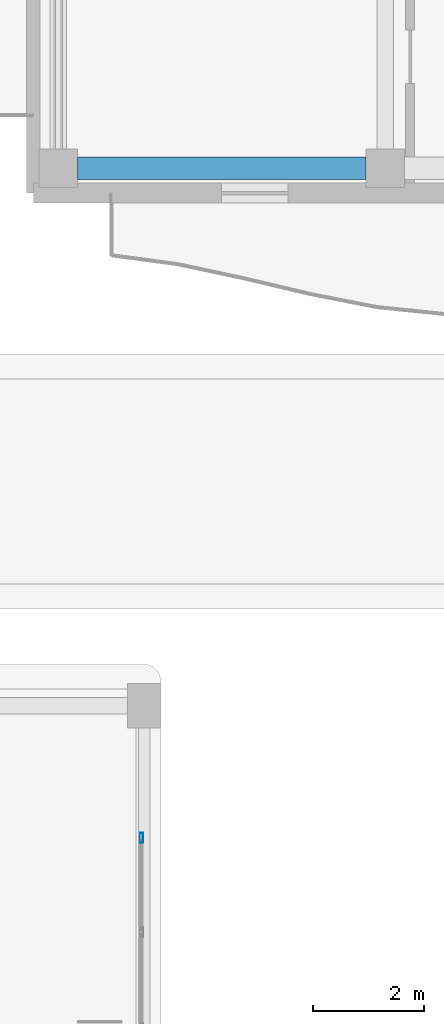
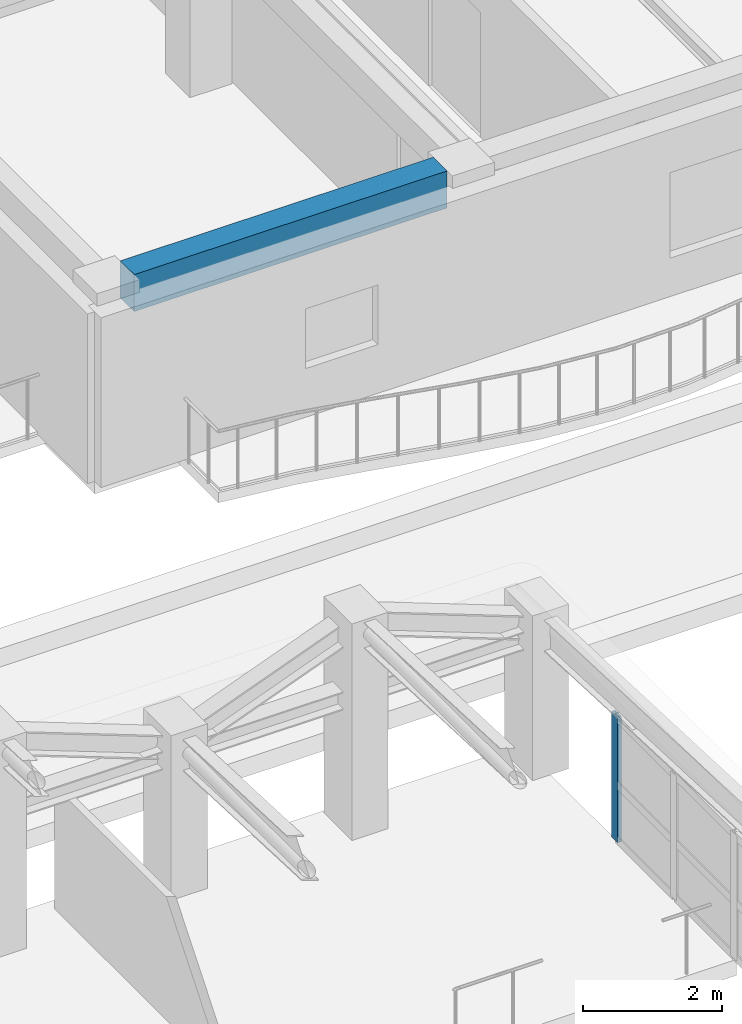
# One storey, part 38 of 128: 1 beam, 1 member, 1 element without a shape of its own.
"""IFC4 building model written with IfcOpenShell, lengths in metres."""

from ifc_helpers import new_model, si_unit, direction, frame, origin, origin_2d, place, context, subcontext, project, spatial, rectangle, hollow_rectangle, extrude, material, layer, layer_set, material_profile, profile_set, type_object, element, aggregate, save


model = new_model("IFC4")

# Units and contexts
model_context = context("Model", 3, precision=1e-05, world=origin(), true_north=direction((0.0, 1.0)))
body_context = subcontext(model_context, "Body", "Model", "MODEL_VIEW")
ifc_project = project(units=[si_unit("LENGTHUNIT", "METRE"), si_unit("AREAUNIT", "SQUARE_METRE"), si_unit("VOLUMEUNIT", "CUBIC_METRE"), si_unit("PLANEANGLEUNIT", "RADIAN"), si_unit("MASSUNIT", "GRAM", prefix="KILO")], contexts=[model_context])

# Site, building, storey
site_placement = place(None, origin())
site = spatial("IfcSite", under=ifc_project, at=site_placement, CompositionType="ELEMENT")
building_placement = place(site_placement, origin())
building = spatial("IfcBuilding", under=site, at=building_placement, Name="Keldmere Railside Commons", CompositionType="ELEMENT")
storey_placement = place(building_placement, frame((0.0, 0.0, 4.159912109375)))
storey = spatial("IfcBuildingStorey", under=building, at=storey_placement, Name="L01", CompositionType="ELEMENT", Elevation=4.159912109375)

# Curtain wall, member
ifc_material_1 = material(Name="Thermally Broken Aluminium", Category="aluminium")
ifc_layer = layer(ifc_material_1, 0.159912109375, Name="Community Hall Side Clerestory CW 5200x2200")
ifc_layer_set = layer_set([ifc_layer], Name="Thermally Broken Aluminium")
curtain_wall_type = type_object("IfcCurtainWallType", Name="Community Hall Side Clerestory CW 5200x2200", PredefinedType="NOTDEFINED", material=ifc_layer_set)
curtain_wall_placement = place(storey_placement, origin())
curtain_wall = element("IfcCurtainWall", 1, at=curtain_wall_placement, inside=storey, type_object=curtain_wall_type, Name="CW-06 CW-L01-210", PredefinedType="NOTDEFINED")
ifc_material_profile_1 = material_profile(ifc_material_1, hollow_rectangle(XDim=0.06494140625, YDim=0.179931640625, WallThickness=0.00390625, at=origin_2d()), Name="ALU-MULL-65x180")
ifc_profile_set_1 = profile_set([ifc_material_profile_1], Name="Thermally Broken Aluminium")
member_type = type_object("IfcMemberType", Name="Civic Tall Curtain Wall Mullion 65x180", PredefinedType="MULLION", material=ifc_profile_set_1)
member_placement = place(storey_placement, frame((105.949951171875, 44.367431640625, 0.090087890625), z_axis=(0.0, 0.0, 1.0), x_axis=(1.0, 0.0, 0.0)))
member = element("IfcMember", 2, at=member_placement, type_object=member_type, Name="CW-06 mullion 1", PredefinedType="MULLION", context=body_context, shape_type="SweptSolid", body=[
    extrude(hollow_rectangle(XDim=0.06494140625, YDim=0.179931640625, WallThickness=0.00390625, at=origin_2d()), origin(), (0.0, 0.0, 1.0), 2.199951171875),
])
aggregate(curtain_wall, [member])

# Beam
ifc_material_2 = material(Name="Concrete H-30 (C30/37)", Category="concrete")
ifc_material_profile_2 = material_profile(ifc_material_2, rectangle(XDim=0.39990234375, YDim=0.64990234375, at=origin_2d()), Name="RC-400x650")
ifc_profile_set_2 = profile_set([ifc_material_profile_2], Name="Concrete H-30 (C30/37)")
beam_type = type_object("IfcBeamType", Name="Residential Spine RC Girder 400x650", PredefinedType="BEAM", material=ifc_profile_set_2)
beam_placement = place(storey_placement, frame((104.800048828125, 56.449951171875, 2.875), z_axis=(1.0, 0.0, 0.0), x_axis=(0.0, 1.0, 0.0)))
element("IfcBeam", 3, at=beam_placement, inside=storey, type_object=beam_type, Name="BG-3 BM-L01-0783", PredefinedType="BEAM", context=body_context, shape_type="SweptSolid", body=[
    extrude(rectangle(XDim=0.39990234375, YDim=0.64990234375, at=origin_2d()), origin(), (0.0, 0.0, 1.0), 5.199951171875),
])

save(model, "model.ifc")
